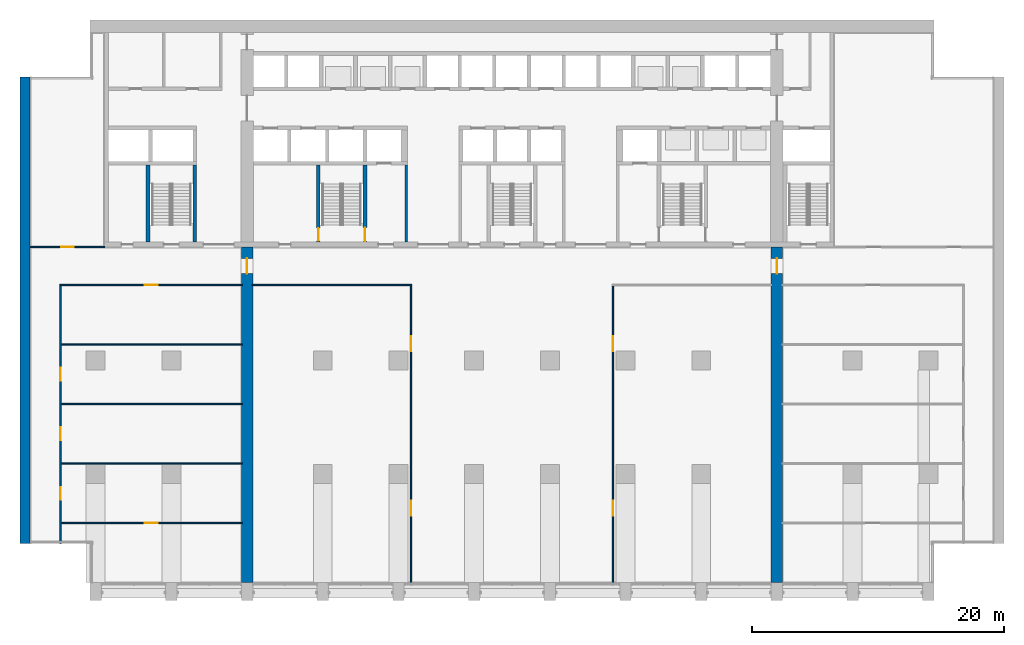
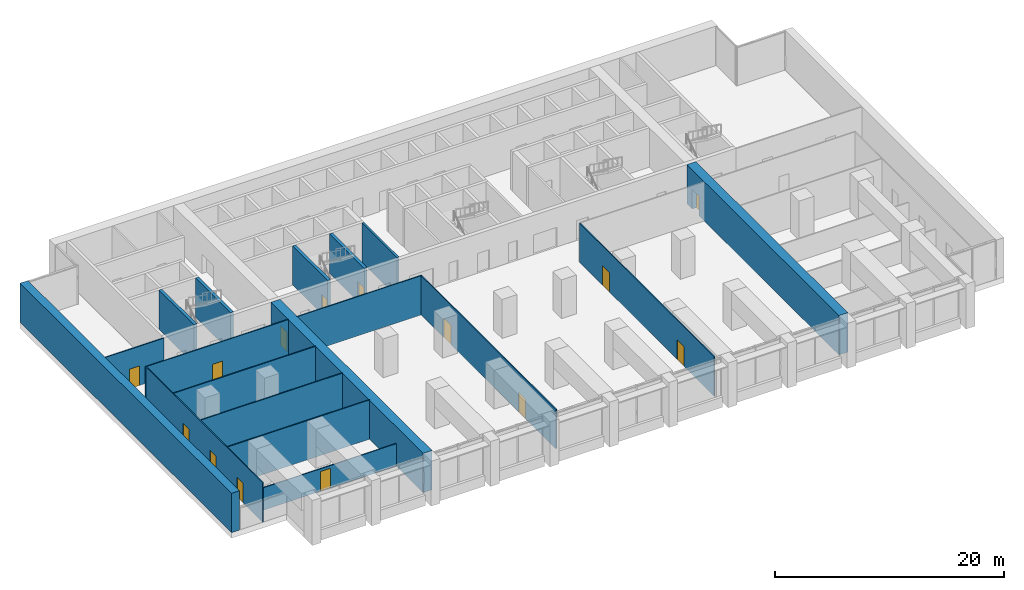
# One storey, part 9 of 18: 18 walls, 14 doors, 14 openings.
"""IFC4 building model written with IfcOpenShell, lengths in metres."""

from ifc_helpers import new_model, si_unit, direction, frame, frame_2d, origin, place, context, subcontext, project, spatial, rectangle, extrude, material, layer, layer_set, type_object, element, fill, save


model = new_model("IFC4")

# Units and contexts
model_context = context("Model", 3, precision=1e-05, world=origin(), true_north=direction((0.0, 1.0)))
body_context = subcontext(model_context, "Body", "Model", "MODEL_VIEW")
ifc_project = project(units=[si_unit("LENGTHUNIT", "METRE"), si_unit("AREAUNIT", "SQUARE_METRE"), si_unit("VOLUMEUNIT", "CUBIC_METRE"), si_unit("PLANEANGLEUNIT", "RADIAN"), si_unit("MASSUNIT", "GRAM", prefix="KILO")], contexts=[model_context])

# Site, building, storey
site_placement = place(None, origin())
site = spatial("IfcSite", under=ifc_project, at=site_placement, CompositionType="ELEMENT")
building_placement = place(site_placement, origin())
building = spatial("IfcBuilding", under=site, at=building_placement, Name="Calvaro Tower", CompositionType="ELEMENT")
storey_placement = place(building_placement, frame((0.0, 0.0, 90.0)))
storey = spatial("IfcBuildingStorey", under=building, at=storey_placement, Name="L22", CompositionType="ELEMENT", Elevation=90.0)

# Walls
ifc_material_1 = material(Name="Blockwork partition", Category="masonry")
ifc_layer_1 = layer(ifc_material_1, 0.199951171875)
ifc_layer_set_1 = layer_set([ifc_layer_1], Name="Blockwork partition")
wall_type_1 = type_object("IfcWallType", Name="Core partition 200 REI 120", PredefinedType="PARTITIONING", material=ifc_layer_set_1)
wall_1_placement = place(storey_placement, frame((30.60009765625, 28.39990234375, 0.0), z_axis=(0.0, 0.0, 1.0), x_axis=(0.0, 1.0, 0.0)))
element("IfcWall", 1, at=wall_1_placement, inside=storey, type_object=wall_type_1, Name="Core partition", PredefinedType="PARTITIONING", context=body_context, shape_type="SweptSolid", body=[
    extrude(rectangle(XDim=6.10009765625, YDim=0.199951171875, at=frame_2d((3.050048828125, 0.0))), origin(), (0.0, 0.0, 1.0), 4.199951171875),
])
ifc_material_2 = material(Name="Concrete C80/95", Category="concrete")
ifc_layer_2 = layer(ifc_material_2, 0.300048828125)
ifc_layer_set_2 = layer_set([ifc_layer_2], Name="Concrete C80/95")
wall_type_2 = type_object("IfcWallType", Name="Core wall C80/95 300", PredefinedType="SHEAR", material=ifc_layer_set_2)
for number, where, z_axis, x_axis, name in (
    (2, (10.14990234375, 28.39990234375, 0.0), (0.0, 0.0, 1.0), (0.0, 1.0, 0.0), "Core wall, stair enclosure"),
    (3, (13.85009765625, 28.39990234375, 0.0), (0.0, 0.0, 1.0), (0.0, 1.0, 0.0), "Core wall, stair enclosure"),
):
    element("IfcWall", number, at=place(storey_placement, frame(where, z_axis=z_axis, x_axis=x_axis)), inside=storey, type_object=wall_type_2, Name=name, PredefinedType="SHEAR", context=body_context, shape_type="SweptSolid", body=[
        extrude(rectangle(XDim=6.10009765625, YDim=0.300048828125, at=frame_2d((3.050048828125, 0.0))), origin(), (0.0, 0.0, 1.0), 4.199951171875),
    ])

# Wall, opening, door
wall_2_placement = place(storey_placement, frame((23.64990234375, 34.5, 0.0), z_axis=(0.0, 0.0, 1.0), x_axis=(0.0, -1.0, 0.0)))
wall_2 = element("IfcWall", 4, at=wall_2_placement, inside=storey, type_object=wall_type_2, Name="Core wall, stair enclosure", PredefinedType="SHEAR", context=body_context, shape_type="SweptSolid", body=[
    extrude(rectangle(XDim=6.10009765625, YDim=0.300048828125, at=frame_2d((3.050048828125, 0.0))), origin(), (0.0, 0.0, 1.0), 4.199951171875),
])
opening_1_placement = place(wall_2_placement, frame((5.0, 0.0, 0.0)))
opening_1 = element("IfcOpeningElement", 5, at=opening_1_placement, cuts=wall_2, Name="Opening FD10D", PredefinedType="OPENING", context=body_context, shape_type="SweptSolid", body=[
    extrude(rectangle(XDim=1.0, YDim=2.10009765625, at=frame_2d((0.5, 1.050048828125))), frame((0.0, 0.159912109375, 0.0), z_axis=(0.0, -1.0, 0.0), x_axis=(1.0, 0.0, 0.0)), (0.0, 0.0, 1.0), 0.320068359375),
])
ifc_material_3 = material(Name="Steel door set", Category="steel")
door_type_1 = type_object("IfcDoorType", Name="Fire door 1000 FD30S", OperationType="SINGLE_SWING_LEFT", PredefinedType="DOOR", material=ifc_material_3)
door_1_placement = place(opening_1_placement, origin())
door_1 = element("IfcDoor", 6, at=door_1_placement, inside=storey, type_object=door_type_1, Name="Fire door", OperationType="SINGLE_SWING_RIGHT", OverallHeight=2.10009765625, OverallWidth=1.0, PredefinedType="DOOR", context=body_context, shape_type="SweptSolid", body=[
    extrude(rectangle(XDim=1.0, YDim=2.10009765625, at=frame_2d((0.5, 1.050048828125))), frame((0.0, 0.02490234375, 0.0), z_axis=(0.0, -1.0, 0.0), x_axis=(1.0, 0.0, 0.0)), (0.0, 0.0, 1.0), 0.050048828125),
])
fill(opening_1, door_1)

wall_3_placement = place(storey_placement, frame((27.35009765625, 28.39990234375, 0.0), z_axis=(0.0, 0.0, 1.0), x_axis=(0.0, 1.0, 0.0)))
wall_3 = element("IfcWall", 7, at=wall_3_placement, inside=storey, type_object=wall_type_2, Name="Core wall, stair enclosure", PredefinedType="SHEAR", context=body_context, shape_type="SweptSolid", body=[
    extrude(rectangle(XDim=6.10009765625, YDim=0.300048828125, at=frame_2d((3.050048828125, 0.0))), origin(), (0.0, 0.0, 1.0), 4.199951171875),
])
opening_2_placement = place(wall_3_placement, frame((0.050048828125, 0.0, 0.0)))
opening_2 = element("IfcOpeningElement", 8, at=opening_2_placement, cuts=wall_3, Name="Opening FD11D", PredefinedType="OPENING", context=body_context, shape_type="SweptSolid", body=[
    extrude(rectangle(XDim=1.10009765625, YDim=2.10009765625, at=frame_2d((0.550048828125, 1.050048828125))), frame((0.0, 0.159912109375, 0.0), z_axis=(0.0, -1.0, 0.0), x_axis=(1.0, 0.0, 0.0)), (0.0, 0.0, 1.0), 0.320068359375),
])
ifc_material_4 = material(Name="Steel door set", Category="steel")
door_type_2 = type_object("IfcDoorType", Name="Fire door 1100 FD30S", OperationType="SINGLE_SWING_LEFT", PredefinedType="DOOR", material=ifc_material_4)
door_2_placement = place(opening_2_placement, origin())
door_2 = element("IfcDoor", 9, at=door_2_placement, inside=storey, type_object=door_type_2, Name="Fire door", OperationType="SINGLE_SWING_LEFT", OverallHeight=2.10009765625, OverallWidth=1.10009765625, PredefinedType="DOOR", context=body_context, shape_type="SweptSolid", body=[
    extrude(rectangle(XDim=1.10009765625, YDim=2.10009765625, at=frame_2d((0.550048828125, 1.050048828125))), frame((0.0, 0.02490234375, 0.0), z_axis=(0.0, -1.0, 0.0), x_axis=(1.0, 0.0, 0.0)), (0.0, 0.0, 1.0), 0.050048828125),
])
fill(opening_2, door_2)

# Wall
ifc_material_5 = material(Name="Concrete C80/95", Category="concrete")
ifc_layer_3 = layer(ifc_material_5, 0.800048828125)
ifc_layer_set_3 = layer_set([ifc_layer_3], Name="Concrete C80/95")
wall_type_3 = type_object("IfcWallType", Name="End wall 800 C80/95", PredefinedType="SHEAR", material=ifc_layer_set_3)
wall_4_placement = place(storey_placement, frame((0.39990234375, 4.5, 0.0), z_axis=(0.0, 0.0, 1.0), x_axis=(0.0, 1.0, 0.0)))
element("IfcWall", 10, at=wall_4_placement, inside=storey, type_object=wall_type_3, Name="End shear wall", PredefinedType="SHEAR", context=body_context, shape_type="SweptSolid", body=[
    extrude(rectangle(XDim=37.0, YDim=0.800048828125, at=frame_2d((18.5, 0.0))), origin(), (0.0, 0.0, 1.0), 4.199951171875),
])

# Wall, opening, door
ifc_material_6 = material(Name="Concrete C80/95", Category="concrete")
ifc_layer_4 = layer(ifc_material_6, 0.89990234375)
ifc_layer_set_4 = layer_set([ifc_layer_4], Name="Concrete C80/95")
wall_type_4 = type_object("IfcWallType", Name="Outrigger wall 900 C80/95", PredefinedType="SHEAR", material=ifc_layer_set_4)
wall_5_placement = place(storey_placement, frame((18.0, 1.39990234375, 0.0), z_axis=(0.0, 0.0, 1.0), x_axis=(0.0, 1.0, 0.0)))
wall_5 = element("IfcWall", 11, at=wall_5_placement, inside=storey, type_object=wall_type_4, Name="Outrigger wall", PredefinedType="SHEAR", context=body_context, shape_type="SweptSolid", body=[
    extrude(rectangle(XDim=26.60009765625, YDim=0.89990234375, at=frame_2d((13.300048828125, 0.0))), origin(), (0.0, 0.0, 1.0), 4.199951171875),
])
opening_3_placement = place(wall_5_placement, frame((24.5, 0.0, 0.0)))
opening_3 = element("IfcOpeningElement", 12, at=opening_3_placement, cuts=wall_5, Name="Opening T15.018", PredefinedType="OPENING", context=body_context, shape_type="SweptSolid", body=[
    extrude(rectangle(XDim=1.199951171875, YDim=2.10009765625, at=frame_2d((0.60009765625, 1.050048828125))), frame((0.0, 0.4599609375, 0.0), z_axis=(0.0, -1.0, 0.0), x_axis=(1.0, 0.0, 0.0)), (0.0, 0.0, 1.0), 0.919921875),
])
ifc_material_7 = material(Name="Timber", Category="wood")
door_type_3 = type_object("IfcDoorType", Name="Internal single door 1200 x 2100 FD30S", OperationType="SINGLE_SWING_LEFT", PredefinedType="DOOR", material=ifc_material_7)
door_3_placement = place(opening_3_placement, origin())
door_3 = element("IfcDoor", 13, at=door_3_placement, inside=storey, type_object=door_type_3, Name="Door T15.018", OperationType="SINGLE_SWING_LEFT", OverallHeight=2.10009765625, OverallWidth=1.199951171875, PredefinedType="DOOR", context=body_context, shape_type="SweptSolid", body=[
    extrude(rectangle(XDim=1.199951171875, YDim=2.10009765625, at=frame_2d((0.60009765625, 1.050048828125))), frame((0.0, 0.02490234375, 0.0), z_axis=(0.0, -1.0, 0.0), x_axis=(1.0, 0.0, 0.0)), (0.0, 0.0, 1.0), 0.050048828125),
])
fill(opening_3, door_3)

wall_6_placement = place(storey_placement, frame((60.0, 1.39990234375, 0.0), z_axis=(0.0, 0.0, 1.0), x_axis=(0.0, 1.0, 0.0)))
wall_6 = element("IfcWall", 14, at=wall_6_placement, inside=storey, type_object=wall_type_4, Name="Outrigger wall", PredefinedType="SHEAR", context=body_context, shape_type="SweptSolid", body=[
    extrude(rectangle(XDim=26.60009765625, YDim=0.89990234375, at=frame_2d((13.300048828125, 0.0))), origin(), (0.0, 0.0, 1.0), 4.199951171875),
])
opening_4_placement = place(wall_6_placement, frame((24.5, 0.0, 0.0)))
opening_4 = element("IfcOpeningElement", 15, at=opening_4_placement, cuts=wall_6, Name="Opening T15.019", PredefinedType="OPENING", context=body_context, shape_type="SweptSolid", body=[
    extrude(rectangle(XDim=1.199951171875, YDim=2.10009765625, at=frame_2d((0.60009765625, 1.050048828125))), frame((0.0, 0.4599609375, 0.0), z_axis=(0.0, -1.0, 0.0), x_axis=(1.0, 0.0, 0.0)), (0.0, 0.0, 1.0), 0.919921875),
])
door_4_placement = place(opening_4_placement, origin())
door_4 = element("IfcDoor", 16, at=door_4_placement, inside=storey, type_object=door_type_3, Name="Door T15.019", OperationType="SINGLE_SWING_LEFT", OverallHeight=2.10009765625, OverallWidth=1.199951171875, PredefinedType="DOOR", context=body_context, shape_type="SweptSolid", body=[
    extrude(rectangle(XDim=1.199951171875, YDim=2.10009765625, at=frame_2d((0.60009765625, 1.050048828125))), frame((0.0, 0.02490234375, 0.0), z_axis=(0.0, -1.0, 0.0), x_axis=(1.0, 0.0, 0.0)), (0.0, 0.0, 1.0), 0.050048828125),
])
fill(opening_4, door_4)

ifc_material_8 = material(Name="Plasterboard on steel studs", Category="steel")
ifc_layer_5 = layer(ifc_material_8, 0.10009765625)
ifc_layer_set_5 = layer_set([ifc_layer_5], Name="Plasterboard on steel studs")
wall_type_5 = type_object("IfcWallType", Name="Partition 100 REI 120", PredefinedType="PARTITIONING", material=ifc_layer_set_5)
wall_7_placement = place(storey_placement, frame((3.25, 6.1201171875, 0.0), z_axis=(0.0, 0.0, 1.0), x_axis=(1.0, 0.0, 0.0)))
wall_7 = element("IfcWall", 17, at=wall_7_placement, inside=storey, type_object=wall_type_5, Name="Partition T15.W001", PredefinedType="PARTITIONING", context=body_context, shape_type="SweptSolid", body=[
    extrude(rectangle(XDim=14.35009765625, YDim=0.10009765625, at=frame_2d((7.175048828125, 0.0))), origin(), (0.0, 0.0, 1.0), 2.39990234375),
])
opening_5_placement = place(wall_7_placement, frame((6.64990234375, 0.0, 0.0)))
opening_5 = element("IfcOpeningElement", 18, at=opening_5_placement, cuts=wall_7, Name="Opening T15.001", PredefinedType="OPENING", context=body_context, shape_type="SweptSolid", body=[
    extrude(rectangle(XDim=1.0, YDim=2.10009765625, at=frame_2d((0.5, 1.050048828125))), frame((0.0, 0.06005859375, 0.0), z_axis=(0.0, -1.0, 0.0), x_axis=(1.0, 0.0, 0.0)), (0.0, 0.0, 1.0), 0.1201171875),
])
ifc_material_9 = material(Name="Timber", Category="wood")
door_type_4 = type_object("IfcDoorType", Name="Internal single door 1000 x 2100 FD60", OperationType="SINGLE_SWING_LEFT", PredefinedType="DOOR", material=ifc_material_9)
door_5_placement = place(opening_5_placement, origin())
door_5 = element("IfcDoor", 19, at=door_5_placement, inside=storey, type_object=door_type_4, Name="Door T15.001", OperationType="SINGLE_SWING_LEFT", OverallHeight=2.10009765625, OverallWidth=1.0, PredefinedType="DOOR", context=body_context, shape_type="SweptSolid", body=[
    extrude(rectangle(XDim=1.0, YDim=2.10009765625, at=frame_2d((0.5, 1.050048828125))), frame((0.0, 0.02490234375, 0.0), z_axis=(0.0, -1.0, 0.0), x_axis=(1.0, 0.0, 0.0)), (0.0, 0.0, 1.0), 0.050048828125),
])
fill(opening_5, door_5)

# Walls
for number, where, z_axis, x_axis, name in (
    (20, (3.25, 10.840087890625, 0.0), (0.0, 0.0, 1.0), (1.0, 0.0, 0.0), "Partition T15.W003"),
    (21, (3.25, 15.56005859375, 0.0), (0.0, 0.0, 1.0), (1.0, 0.0, 0.0), "Partition T15.W005"),
    (22, (3.25, 20.280029296875, 0.0), (0.0, 0.0, 1.0), (1.0, 0.0, 0.0), "Partition T15.W007"),
):
    element("IfcWall", number, at=place(storey_placement, frame(where, z_axis=z_axis, x_axis=x_axis)), inside=storey, type_object=wall_type_5, Name=name, PredefinedType="PARTITIONING", context=body_context, shape_type="SweptSolid", body=[
        extrude(rectangle(XDim=14.35009765625, YDim=0.10009765625, at=frame_2d((7.175048828125, 0.0))), origin(), (0.0, 0.0, 1.0), 4.199951171875),
    ])

# Wall, opening, door
wall_8_placement = place(storey_placement, frame((3.14990234375, 25.0, 0.0), z_axis=(0.0, 0.0, 1.0), x_axis=(1.0, 0.0, 0.0)))
wall_8 = element("IfcWall", 23, at=wall_8_placement, inside=storey, type_object=wall_type_5, Name="Partition T15.W009", PredefinedType="PARTITIONING", context=body_context, shape_type="SweptSolid", body=[
    extrude(rectangle(XDim=14.4501953125, YDim=0.10009765625, at=frame_2d((7.22509765625, 0.0))), origin(), (0.0, 0.0, 1.0), 4.199951171875),
])
opening_6_placement = place(wall_8_placement, frame((6.75, 0.0, 0.0)))
opening_6 = element("IfcOpeningElement", 24, at=opening_6_placement, cuts=wall_8, Name="Opening T15.013", PredefinedType="OPENING", context=body_context, shape_type="SweptSolid", body=[
    extrude(rectangle(XDim=1.0, YDim=2.10009765625, at=frame_2d((0.5, 1.050048828125))), frame((0.0, 0.06005859375, 0.0), z_axis=(0.0, -1.0, 0.0), x_axis=(1.0, 0.0, 0.0)), (0.0, 0.0, 1.0), 0.1201171875),
])
door_6_placement = place(opening_6_placement, origin())
door_6 = element("IfcDoor", 25, at=door_6_placement, inside=storey, type_object=door_type_4, Name="Door T15.013", OperationType="SINGLE_SWING_RIGHT", OverallHeight=2.10009765625, OverallWidth=1.0, PredefinedType="DOOR", context=body_context, shape_type="SweptSolid", body=[
    extrude(rectangle(XDim=1.0, YDim=2.10009765625, at=frame_2d((0.5, 1.050048828125))), frame((0.0, 0.02490234375, 0.0), z_axis=(0.0, -1.0, 0.0), x_axis=(1.0, 0.0, 0.0)), (0.0, 0.0, 1.0), 0.050048828125),
])
fill(opening_6, door_6)

# Wall
wall_9_placement = place(storey_placement, frame((18.39990234375, 25.0, 0.0), z_axis=(0.0, 0.0, 1.0), x_axis=(1.0, 0.0, 0.0)))
element("IfcWall", 26, at=wall_9_placement, inside=storey, type_object=wall_type_5, Name="Partition T15.W010", PredefinedType="PARTITIONING", context=body_context, shape_type="SweptSolid", body=[
    extrude(rectangle(XDim=12.650146484375, YDim=0.10009765625, at=frame_2d((6.3251953125, 0.0))), origin(), (0.0, 0.0, 1.0), 4.199951171875),
])

# Wall, opening, door
wall_10_placement = place(storey_placement, frame((0.800048828125, 28.0, 0.0), z_axis=(0.0, 0.0, 1.0), x_axis=(1.0, 0.0, 0.0)))
wall_10 = element("IfcWall", 27, at=wall_10_placement, inside=storey, type_object=wall_type_5, Name="Partition T15.W013", PredefinedType="PARTITIONING", context=body_context, shape_type="SweptSolid", body=[
    extrude(rectangle(XDim=5.89990234375, YDim=0.10009765625, at=frame_2d((2.949951171875, 0.0))), origin(), (0.0, 0.0, 1.0), 4.199951171875),
])
opening_7_placement = place(wall_10_placement, frame((2.449951171875, 0.0, 0.0)))
opening_7 = element("IfcOpeningElement", 28, at=opening_7_placement, cuts=wall_10, Name="Opening T15.015", PredefinedType="OPENING", context=body_context, shape_type="SweptSolid", body=[
    extrude(rectangle(XDim=1.0, YDim=2.10009765625, at=frame_2d((0.5, 1.050048828125))), frame((0.0, 0.06005859375, 0.0), z_axis=(0.0, -1.0, 0.0), x_axis=(1.0, 0.0, 0.0)), (0.0, 0.0, 1.0), 0.1201171875),
])
door_7_placement = place(opening_7_placement, origin())
door_7 = element("IfcDoor", 29, at=door_7_placement, inside=storey, type_object=door_type_4, Name="Door T15.015", OperationType="SINGLE_SWING_LEFT", OverallHeight=2.10009765625, OverallWidth=1.0, PredefinedType="DOOR", context=body_context, shape_type="SweptSolid", body=[
    extrude(rectangle(XDim=1.0, YDim=2.10009765625, at=frame_2d((0.5, 1.050048828125))), frame((0.0, 0.02490234375, 0.0), z_axis=(0.0, -1.0, 0.0), x_axis=(1.0, 0.0, 0.0)), (0.0, 0.0, 1.0), 0.050048828125),
])
fill(opening_7, door_7)

# Wall, openings, doors
wall_11_placement = place(storey_placement, frame((3.199951171875, 4.5, 0.0), z_axis=(0.0, 0.0, 1.0), x_axis=(0.0, 1.0, 0.0)))
wall_11 = element("IfcWall", 30, at=wall_11_placement, inside=storey, type_object=wall_type_5, Name="Partition T15.W015", PredefinedType="PARTITIONING", context=body_context, shape_type="SweptSolid", body=[
    extrude(rectangle(XDim=20.449951171875, YDim=0.10009765625, at=frame_2d((10.22509765625, 0.0))), origin(), (0.0, 0.0, 1.0), 4.199951171875),
])
opening_8_placement = place(wall_11_placement, frame((3.47998046875, 0.0, 0.0)))
opening_8 = element("IfcOpeningElement", 31, at=opening_8_placement, cuts=wall_11, Name="Opening T15.003", PredefinedType="OPENING", context=body_context, shape_type="SweptSolid", body=[
    extrude(rectangle(XDim=1.0, YDim=2.10009765625, at=frame_2d((0.5, 1.050048828125))), frame((0.0, 0.06005859375, 0.0), z_axis=(0.0, -1.0, 0.0), x_axis=(1.0, 0.0, 0.0)), (0.0, 0.0, 1.0), 0.1201171875),
])
opening_9_placement = place(wall_11_placement, frame((8.199951171875, 0.0, 0.0)))
opening_9 = element("IfcOpeningElement", 32, at=opening_9_placement, cuts=wall_11, Name="Opening T15.005", PredefinedType="OPENING", context=body_context, shape_type="SweptSolid", body=[
    extrude(rectangle(XDim=1.0, YDim=2.10009765625, at=frame_2d((0.5, 1.050048828125))), frame((0.0, 0.06005859375, 0.0), z_axis=(0.0, -1.0, 0.0), x_axis=(1.0, 0.0, 0.0)), (0.0, 0.0, 1.0), 0.1201171875),
])
opening_10_placement = place(wall_11_placement, frame((12.919921875, 0.0, 0.0)))
opening_10 = element("IfcOpeningElement", 33, at=opening_10_placement, cuts=wall_11, Name="Opening T15.011", PredefinedType="OPENING", context=body_context, shape_type="SweptSolid", body=[
    extrude(rectangle(XDim=1.0, YDim=2.10009765625, at=frame_2d((0.5, 1.050048828125))), frame((0.0, 0.06005859375, 0.0), z_axis=(0.0, -1.0, 0.0), x_axis=(1.0, 0.0, 0.0)), (0.0, 0.0, 1.0), 0.1201171875),
])
door_8_placement = place(opening_8_placement, origin())
door_8 = element("IfcDoor", 34, at=door_8_placement, inside=storey, type_object=door_type_4, Name="Door T15.003", OperationType="SINGLE_SWING_LEFT", OverallHeight=2.10009765625, OverallWidth=1.0, PredefinedType="DOOR", context=body_context, shape_type="SweptSolid", body=[
    extrude(rectangle(XDim=1.0, YDim=2.10009765625, at=frame_2d((0.5, 1.050048828125))), frame((0.0, 0.02490234375, 0.0), z_axis=(0.0, -1.0, 0.0), x_axis=(1.0, 0.0, 0.0)), (0.0, 0.0, 1.0), 0.050048828125),
])
fill(opening_8, door_8)
door_9_placement = place(opening_9_placement, origin())
door_9 = element("IfcDoor", 35, at=door_9_placement, inside=storey, type_object=door_type_4, Name="Door T15.005", OperationType="SINGLE_SWING_LEFT", OverallHeight=2.10009765625, OverallWidth=1.0, PredefinedType="DOOR", context=body_context, shape_type="SweptSolid", body=[
    extrude(rectangle(XDim=1.0, YDim=2.10009765625, at=frame_2d((0.5, 1.050048828125))), frame((0.0, 0.02490234375, 0.0), z_axis=(0.0, -1.0, 0.0), x_axis=(1.0, 0.0, 0.0)), (0.0, 0.0, 1.0), 0.050048828125),
])
fill(opening_9, door_9)
door_10_placement = place(opening_10_placement, origin())
door_10 = element("IfcDoor", 36, at=door_10_placement, inside=storey, type_object=door_type_4, Name="Door T15.011", OperationType="SINGLE_SWING_RIGHT", OverallHeight=2.10009765625, OverallWidth=1.0, PredefinedType="DOOR", context=body_context, shape_type="SweptSolid", body=[
    extrude(rectangle(XDim=1.0, YDim=2.10009765625, at=frame_2d((0.5, 1.050048828125))), frame((0.0, 0.02490234375, 0.0), z_axis=(0.0, -1.0, 0.0), x_axis=(1.0, 0.0, 0.0)), (0.0, 0.0, 1.0), 0.050048828125),
])
fill(opening_10, door_10)

wall_12_placement = place(storey_placement, frame((31.0, 1.39990234375, 0.0), z_axis=(0.0, 0.0, 1.0), x_axis=(0.0, 1.0, 0.0)))
wall_12 = element("IfcWall", 37, at=wall_12_placement, inside=storey, type_object=wall_type_5, Name="Partition T15.W016", PredefinedType="PARTITIONING", context=body_context, shape_type="SweptSolid", body=[
    extrude(rectangle(XDim=23.550048828125, YDim=0.10009765625, at=frame_2d((11.77490234375, 0.0))), origin(), (0.0, 0.0, 1.0), 4.199951171875),
])
opening_11_placement = place(wall_12_placement, frame((5.300048828125, 0.0, 0.0)))
opening_11 = element("IfcOpeningElement", 38, at=opening_11_placement, cuts=wall_12, Name="Opening T15.006", PredefinedType="OPENING", context=body_context, shape_type="SweptSolid", body=[
    extrude(rectangle(XDim=1.199951171875, YDim=2.10009765625, at=frame_2d((0.60009765625, 1.050048828125))), frame((0.0, 0.06005859375, 0.0), z_axis=(0.0, -1.0, 0.0), x_axis=(1.0, 0.0, 0.0)), (0.0, 0.0, 1.0), 0.1201171875),
])
opening_12_placement = place(wall_12_placement, frame((18.35009765625, 0.0, 0.0)))
opening_12 = element("IfcOpeningElement", 39, at=opening_12_placement, cuts=wall_12, Name="Opening T15.007", PredefinedType="OPENING", context=body_context, shape_type="SweptSolid", body=[
    extrude(rectangle(XDim=1.199951171875, YDim=2.10009765625, at=frame_2d((0.60009765625, 1.050048828125))), frame((0.0, 0.06005859375, 0.0), z_axis=(0.0, -1.0, 0.0), x_axis=(1.0, 0.0, 0.0)), (0.0, 0.0, 1.0), 0.1201171875),
])
door_11_placement = place(opening_11_placement, origin())
door_11 = element("IfcDoor", 40, at=door_11_placement, inside=storey, type_object=door_type_3, Name="Door T15.006", OperationType="SINGLE_SWING_LEFT", OverallHeight=2.10009765625, OverallWidth=1.199951171875, PredefinedType="DOOR", context=body_context, shape_type="SweptSolid", body=[
    extrude(rectangle(XDim=1.199951171875, YDim=2.10009765625, at=frame_2d((0.60009765625, 1.050048828125))), frame((0.0, 0.02490234375, 0.0), z_axis=(0.0, -1.0, 0.0), x_axis=(1.0, 0.0, 0.0)), (0.0, 0.0, 1.0), 0.050048828125),
])
fill(opening_11, door_11)
door_12_placement = place(opening_12_placement, origin())
door_12 = element("IfcDoor", 41, at=door_12_placement, inside=storey, type_object=door_type_3, Name="Door T15.007", OperationType="SINGLE_SWING_RIGHT", OverallHeight=2.10009765625, OverallWidth=1.199951171875, PredefinedType="DOOR", context=body_context, shape_type="SweptSolid", body=[
    extrude(rectangle(XDim=1.199951171875, YDim=2.10009765625, at=frame_2d((0.60009765625, 1.050048828125))), frame((0.0, 0.02490234375, 0.0), z_axis=(0.0, -1.0, 0.0), x_axis=(1.0, 0.0, 0.0)), (0.0, 0.0, 1.0), 0.050048828125),
])
fill(opening_12, door_12)

wall_13_placement = place(storey_placement, frame((47.0, 1.39990234375, 0.0), z_axis=(0.0, 0.0, 1.0), x_axis=(0.0, 1.0, 0.0)))
wall_13 = element("IfcWall", 42, at=wall_13_placement, inside=storey, type_object=wall_type_5, Name="Partition T15.W017", PredefinedType="PARTITIONING", context=body_context, shape_type="SweptSolid", body=[
    extrude(rectangle(XDim=23.550048828125, YDim=0.10009765625, at=frame_2d((11.77490234375, 0.0))), origin(), (0.0, 0.0, 1.0), 4.199951171875),
])
opening_13_placement = place(wall_13_placement, frame((5.300048828125, 0.0, 0.0)))
opening_13 = element("IfcOpeningElement", 43, at=opening_13_placement, cuts=wall_13, Name="Opening T15.008", PredefinedType="OPENING", context=body_context, shape_type="SweptSolid", body=[
    extrude(rectangle(XDim=1.199951171875, YDim=2.10009765625, at=frame_2d((0.60009765625, 1.050048828125))), frame((0.0, 0.06005859375, 0.0), z_axis=(0.0, -1.0, 0.0), x_axis=(1.0, 0.0, 0.0)), (0.0, 0.0, 1.0), 0.1201171875),
])
opening_14_placement = place(wall_13_placement, frame((18.35009765625, 0.0, 0.0)))
opening_14 = element("IfcOpeningElement", 44, at=opening_14_placement, cuts=wall_13, Name="Opening T15.009", PredefinedType="OPENING", context=body_context, shape_type="SweptSolid", body=[
    extrude(rectangle(XDim=1.199951171875, YDim=2.10009765625, at=frame_2d((0.60009765625, 1.050048828125))), frame((0.0, 0.06005859375, 0.0), z_axis=(0.0, -1.0, 0.0), x_axis=(1.0, 0.0, 0.0)), (0.0, 0.0, 1.0), 0.1201171875),
])
door_13_placement = place(opening_13_placement, origin())
door_13 = element("IfcDoor", 45, at=door_13_placement, inside=storey, type_object=door_type_3, Name="Door T15.008", OperationType="SINGLE_SWING_LEFT", OverallHeight=2.10009765625, OverallWidth=1.199951171875, PredefinedType="DOOR", context=body_context, shape_type="SweptSolid", body=[
    extrude(rectangle(XDim=1.199951171875, YDim=2.10009765625, at=frame_2d((0.60009765625, 1.050048828125))), frame((0.0, 0.02490234375, 0.0), z_axis=(0.0, -1.0, 0.0), x_axis=(1.0, 0.0, 0.0)), (0.0, 0.0, 1.0), 0.050048828125),
])
fill(opening_13, door_13)
door_14_placement = place(opening_14_placement, origin())
door_14 = element("IfcDoor", 46, at=door_14_placement, inside=storey, type_object=door_type_3, Name="Door T15.009", OperationType="SINGLE_SWING_RIGHT", OverallHeight=2.10009765625, OverallWidth=1.199951171875, PredefinedType="DOOR", context=body_context, shape_type="SweptSolid", body=[
    extrude(rectangle(XDim=1.199951171875, YDim=2.10009765625, at=frame_2d((0.60009765625, 1.050048828125))), frame((0.0, 0.02490234375, 0.0), z_axis=(0.0, -1.0, 0.0), x_axis=(1.0, 0.0, 0.0)), (0.0, 0.0, 1.0), 0.050048828125),
])
fill(opening_14, door_14)

save(model, "model.ifc")
